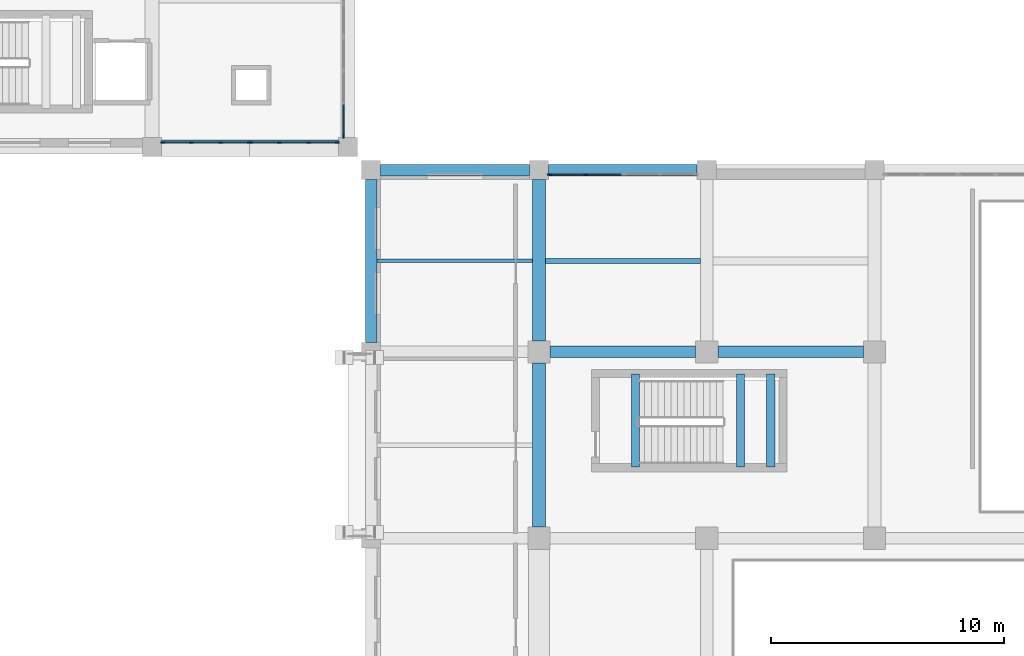
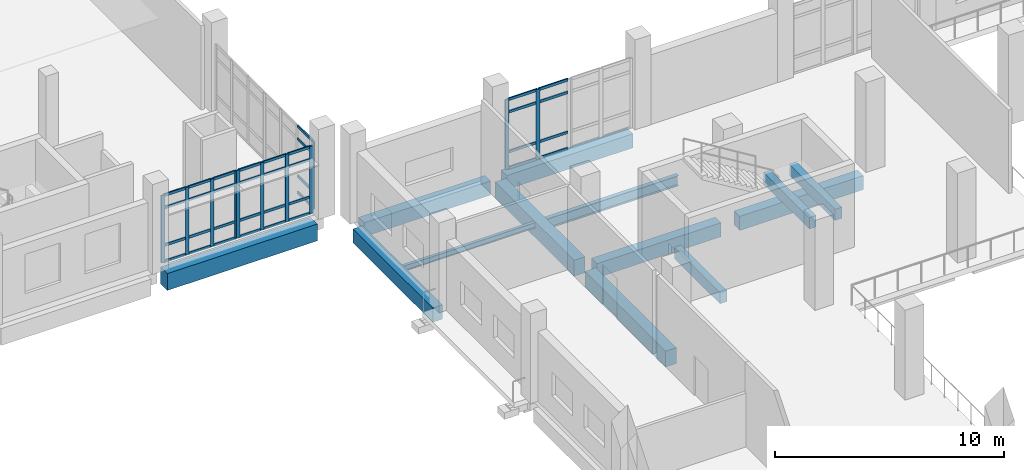
# One storey, part 25 of 90: 47 members, 13 beams, 4 elements without a shape of their own.
"""IFC4 building model written with IfcOpenShell, lengths in metres."""

import ifcopenshell
import ifcopenshell.guid

model = None  # the IFC model being written
_history = None  # IfcOwnerHistory: only IFC2X3 demands one
_inside = {}  # id of a spatial element -> (the spatial element, [elements in it])
_under = {}  # id of a project, library or spatial element -> (it, [spatial elements below it])
_declared = {}  # id of a project -> (the project, [libraries it declares])
_typed = {}  # id of a type object -> (the type object, [elements of that type])
_made_of = {}  # id of a material, layer set ... -> (it, [elements and type objects made of it])


def new_model(schema):
    """Start an empty IFC model of exactly this schema.

    Asked for "IFC4X3", IfcOpenShell would pick the latest addendum, in which some entities
    have other attributes; the version numbers below select the first issue.
    IFC2X3 requires an IfcOwnerHistory on every rooted entity: one is made here for all.
    """
    global model, _history
    if schema == "IFC4X3":
        model = ifcopenshell.file(schema_version=(4, 3, 0, 0))
    else:
        model = ifcopenshell.file(schema=schema)
    _inside.clear()
    _under.clear()
    _declared.clear()
    _typed.clear()
    _made_of.clear()
    _history = None
    if model.schema == "IFC2X3":
        org = make("IfcOrganization", Name="unknown")
        user = make(
            "IfcPersonAndOrganization",
            ThePerson=make("IfcPerson", FamilyName="unknown"),
            TheOrganization=org,
        )
        app = make(
            "IfcApplication",
            ApplicationDeveloper=org,
            Version="unknown",
            ApplicationFullName="unknown",
            ApplicationIdentifier="unknown",
        )
        _history = make(
            "IfcOwnerHistory",
            OwningUser=user,
            OwningApplication=app,
            ChangeAction="ADDED",
            CreationDate=0,
        )
    return model


def make(cls, **values):
    """One entity of the class cls with the attributes given. An attribute that is None is left unset."""
    return model.create_entity(
        cls, **{name: value for name, value in values.items() if value is not None}
    )


def rooted(cls, **values):
    """An entity with a GlobalId (a new one), such as an element, a storey or a relation."""
    return make(cls, GlobalId=ifcopenshell.guid.new(), OwnerHistory=_history, **values)


def si_unit(unit_type, name, prefix=None):
    """IfcSIUnit, for example si_unit("LENGTHUNIT", "METRE", prefix="MILLI")."""
    return make("IfcSIUnit", UnitType=unit_type, Prefix=prefix, Name=name)


def assignment(units):
    """IfcUnitAssignment: the units of a project."""
    return None if units is None else make("IfcUnitAssignment", Units=units)


def point(xyz):
    """IfcCartesianPoint."""
    return None if xyz is None else make("IfcCartesianPoint", Coordinates=xyz)


def direction(xyz):
    """IfcDirection."""
    return None if xyz is None else make("IfcDirection", DirectionRatios=xyz)


def frame(location, z_axis=None, x_axis=None):
    """IfcAxis2Placement3D, a coordinate frame: its origin and axes. An axis left out is left unset."""
    return make(
        "IfcAxis2Placement3D",
        Location=point(location),
        Axis=direction(z_axis),
        RefDirection=direction(x_axis),
    )


def frame_2d(location, x_axis=None):
    """IfcAxis2Placement2D, a coordinate frame in the plane: its origin and x axis."""
    return make(
        "IfcAxis2Placement2D", Location=point(location), RefDirection=direction(x_axis)
    )


def origin():
    """The frame at (0, 0, 0) with its axes left unset."""
    return frame((0.0, 0.0, 0.0))


def origin_2d():
    """The frame at (0, 0) in the plane with its x axis left unset."""
    return frame_2d((0.0, 0.0))


def place(relative_to, where):
    """IfcLocalPlacement: puts the frame where relative to a parent placement (None: the world)."""
    return make(
        "IfcLocalPlacement", PlacementRelTo=relative_to, RelativePlacement=where
    )


def context(
    kind, dimensions, precision=None, world=None, true_north=None, identifier=None
):
    """IfcGeometricRepresentationContext, for example the 3D "Model" context."""
    return make(
        "IfcGeometricRepresentationContext",
        ContextIdentifier=identifier,
        ContextType=kind,
        CoordinateSpaceDimension=dimensions,
        Precision=precision,
        WorldCoordinateSystem=world,
        TrueNorth=true_north,
    )


def subcontext(parent, identifier, kind, view, scale=None):
    """IfcGeometricRepresentationSubContext, for example "Body" below "Model"."""
    return make(
        "IfcGeometricRepresentationSubContext",
        ContextIdentifier=identifier,
        ContextType=kind,
        ParentContext=parent,
        TargetScale=scale,
        TargetView=view,
    )


def project(units=None, contexts=None):
    """IfcProject with its units and contexts."""
    return rooted(
        "IfcProject",
        Name="project",
        RepresentationContexts=contexts,
        UnitsInContext=assignment(units),
    )


def spatial(cls, under=None, at=None, **own):
    """A site, building, storey or space (cls), placed at a placement, below another one or the project."""
    s = rooted(cls, ObjectPlacement=at, **own)
    if under is not None:
        _under.setdefault(under.id(), (under, []))[1].append(s)
    return s


def profile(cls, at=None, kind="AREA", **sizes):
    """A parametric profile (cls). Its sizes go by their IFC names, for example OverallWidth=200.0."""
    return make(cls, ProfileType=kind, Position=at, **sizes)


def rectangle(**sizes):
    """IfcRectangleProfileDef."""
    return profile("IfcRectangleProfileDef", **sizes)


def i_section(**sizes):
    """IfcIShapeProfileDef."""
    return profile("IfcIShapeProfileDef", **sizes)


def extrude(swept, where, along, depth):
    """IfcExtrudedAreaSolid: the profile swept, set in the frame where, extruded along a direction by depth."""
    return make(
        "IfcExtrudedAreaSolid",
        SweptArea=swept,
        Position=where,
        ExtrudedDirection=direction(along),
        Depth=depth,
    )


def shape(context_of_items, identifier, shape_type, items):
    """IfcShapeRepresentation: the items that make up one representation, for example the "Body"."""
    return make(
        "IfcShapeRepresentation",
        ContextOfItems=context_of_items,
        RepresentationIdentifier=identifier,
        RepresentationType=shape_type,
        Items=items,
    )


def material(Name=None, Category=None):
    """IfcMaterial."""
    return make("IfcMaterial", Name=Name, Category=Category)


def layer(
    of_material, thickness, ventilated=None, Name=None, Category=None, Priority=None
):
    """IfcMaterialLayer: one layer of a wall or slab, of a material (None: an air gap)."""
    return make(
        "IfcMaterialLayer",
        Material=of_material,
        LayerThickness=thickness,
        IsVentilated=ventilated,
        Name=Name,
        Category=Category,
        Priority=Priority,
    )


def layer_set(layers, Name=None):
    """IfcMaterialLayerSet."""
    return make("IfcMaterialLayerSet", MaterialLayers=layers, LayerSetName=Name)


def material_profile(
    of_material, cross_section, Name=None, Category=None, Priority=None
):
    """IfcMaterialProfile: a cross section and its material."""
    return make(
        "IfcMaterialProfile",
        Name=Name,
        Material=of_material,
        Profile=cross_section,
        Priority=Priority,
        Category=Category,
    )


def profile_set(profiles, Name=None, composite=None):
    """IfcMaterialProfileSet."""
    return make(
        "IfcMaterialProfileSet",
        Name=Name,
        MaterialProfiles=profiles,
        CompositeProfile=composite,
    )


def made_of(thing, what):
    """Note that an element or type object is made of a material, layer set ...; save() writes the relation."""
    if what is not None:
        _made_of.setdefault(what.id(), (what, []))[1].append(thing)
    return thing


def type_object(cls, material=None, **own):
    """A type object (cls), such as IfcWallType, which elements share."""
    return made_of(rooted(cls, **own), material)


def element(
    cls,
    number,
    at=None,
    inside=None,
    cuts=None,
    type_object=None,
    material=None,
    context=None,
    identifier="Body",
    shape_type=None,
    held_by="IfcProductDefinitionShape",
    body=None,
    shapes=None,
    **own,
):
    """One element of the class cls, such as IfcWall. Its Tag is "e" and its number.

    at: its placement. inside: the storey or other place that contains it. cuts: it is an
    opening in that element (IfcRelVoidsElement). A single representation is given by context,
    identifier, shape_type and body (its items); several are given by shapes. held_by: the class
    of the entity that holds the representations. save() writes the other relations.
    """
    e = rooted(cls, Tag="e%d" % number, ObjectPlacement=at, **own)
    if body is not None:
        shapes = [shape(context, identifier, shape_type, body)]
    if shapes is not None:
        e.Representation = make(held_by, Representations=shapes)
    if inside is not None:
        _inside.setdefault(inside.id(), (inside, []))[1].append(e)
    if cuts is not None:
        rooted(
            "IfcRelVoidsElement", RelatingBuildingElement=cuts, RelatedOpeningElement=e
        )
    if type_object is not None:
        _typed.setdefault(type_object.id(), (type_object, []))[1].append(e)
    return made_of(e, material)


def aggregate(whole, parts):
    """IfcRelAggregates: a whole, such as a stair, and the parts it consists of."""
    return rooted("IfcRelAggregates", RelatingObject=whole, RelatedObjects=parts)


def save(model, path):
    """Write the relations noted so far, then the file.

    IfcRelAggregates (storeys below a building ...), IfcRelContainedInSpatialStructure (elements
    in a storey), IfcRelDefinesByType, IfcRelAssociatesMaterial and IfcRelDeclares: one each for
    every whole, place, type object, material and project.
    """
    for whole, parts in _under.values():
        aggregate(whole, parts)
    for where, things in _inside.values():
        rooted(
            "IfcRelContainedInSpatialStructure",
            RelatedElements=things,
            RelatingStructure=where,
        )
    for kind, things in _typed.values():
        rooted("IfcRelDefinesByType", RelatedObjects=things, RelatingType=kind)
    for what, things in _made_of.values():
        rooted("IfcRelAssociatesMaterial", RelatedObjects=things, RelatingMaterial=what)
    for by, libraries in _declared.values():
        rooted("IfcRelDeclares", RelatingContext=by, RelatedDefinitions=libraries)
    model.write(path)


model = new_model("IFC4")

# Units and contexts
model_context = context("Model", 3, precision=1e-05, world=origin(), true_north=direction((0.0, 1.0)))
body_context = subcontext(model_context, "Body", "Model", "MODEL_VIEW")
ifc_project = project(units=[si_unit("LENGTHUNIT", "METRE"), si_unit("AREAUNIT", "SQUARE_METRE"), si_unit("VOLUMEUNIT", "CUBIC_METRE"), si_unit("PLANEANGLEUNIT", "RADIAN"), si_unit("MASSUNIT", "GRAM", prefix="KILO")], contexts=[model_context])

# Site, building, storey
site_placement = place(None, origin())
site = spatial("IfcSite", under=ifc_project, at=site_placement, CompositionType="ELEMENT")
building_placement = place(site_placement, origin())
building = spatial("IfcBuilding", under=site, at=building_placement, Name="Kelarvand Opera House", CompositionType="ELEMENT")
storey_placement = place(building_placement, frame((0.0, 0.0, 5.39990234375)))
storey = spatial("IfcBuildingStorey", under=building, at=storey_placement, Name="L01", CompositionType="ELEMENT", Elevation=5.39990234375)

# Curtain wall, members
ifc_material_1 = material(Name="Thermally broken aluminium and low-E glazing", Category="aluminium")
ifc_layer_1 = layer(ifc_material_1, 0.179931640625, Name="Thermally broken aluminium and low-E glazing", Category="aluminium")
ifc_layer_set_1 = layer_set([ifc_layer_1], Name="Thermally broken aluminium and low-E glazing")
curtain_wall_type_1 = type_object("IfcCurtainWallType", Name="Unitised Low-E Curtain Wall 3176x3730 Mod 1350 CWF-10", PredefinedType="USERDEFINED", material=ifc_layer_set_1)
curtain_wall_1_placement = place(storey_placement, origin())
curtain_wall_1 = element("IfcCurtainWall", 1, at=curtain_wall_1_placement, inside=storey, type_object=curtain_wall_type_1, Name="V2 L01 Curtain Wall CWF-10 (31)", ObjectType="UNITISED CURTAIN WALL", PredefinedType="USERDEFINED")
ifc_material_2 = material(Name="Thermally broken anodised aluminium", Category="aluminium")
ifc_material_profile_1 = material_profile(ifc_material_2, rectangle(XDim=0.06494140625, YDim=0.179931640625, at=origin_2d()), Name="ALU MULLION 65x180", Category="aluminium")
ifc_profile_set_1 = profile_set([ifc_material_profile_1], Name="Thermally broken anodised aluminium")
member_type_1 = type_object("IfcMemberType", Name="Curtain Wall Mullion 65x180 Aluminium", PredefinedType="MULLION", material=ifc_profile_set_1)
member_1_placement = place(storey_placement, frame((59.652587890625, 86.02001953125, 0.0), z_axis=(0.0, 0.0, 1.0), x_axis=(0.0, 1.0, 0.0)))
member_1 = element("IfcMember", 2, at=member_1_placement, type_object=member_type_1, Name="CWF-10 mullion 1", PredefinedType="MULLION", context=body_context, shape_type="SweptSolid", body=[
    extrude(rectangle(XDim=0.06494140625, YDim=0.179931640625, at=origin_2d()), origin(), (0.0, 0.0, 1.0), 3.72998046875),
])
member_2_placement = place(storey_placement, frame((61.2080078125, 86.02001953125, 0.0), z_axis=(0.0, 0.0, 1.0), x_axis=(0.0, 1.0, 0.0)))
member_2 = element("IfcMember", 3, at=member_2_placement, type_object=member_type_1, Name="CWF-10 mullion 2", PredefinedType="MULLION", context=body_context, shape_type="SweptSolid", body=[
    extrude(rectangle(XDim=0.06494140625, YDim=0.179931640625, at=origin_2d()), origin(), (0.0, 0.0, 1.0), 3.72998046875),
])

# Curtain wall, member
ifc_layer_2 = layer(ifc_material_1, 0.179931640625, Name="Thermally broken aluminium and low-E glazing", Category="aluminium")
ifc_layer_set_2 = layer_set([ifc_layer_2], Name="Thermally broken aluminium and low-E glazing")
curtain_wall_type_2 = type_object("IfcCurtainWallType", Name="Unitised Low-E Curtain Wall 4276x3600 Mod 1350 CWF-16", PredefinedType="USERDEFINED", material=ifc_layer_set_2)
curtain_wall_2_placement = place(storey_placement, origin())
curtain_wall_2 = element("IfcCurtainWall", 4, at=curtain_wall_2_placement, inside=storey, type_object=curtain_wall_type_2, Name="V3 L01 Curtain Wall CWF-16 (50)", ObjectType="UNITISED CURTAIN WALL", PredefinedType="USERDEFINED")
member_3_placement = place(storey_placement, frame((50.820068359375, 87.652587890625, 0.0), z_axis=(0.0, 0.0, 1.0), x_axis=(1.0, 0.0, 0.0)))
member_3 = element("IfcMember", 5, at=member_3_placement, type_object=member_type_1, Name="CWF-16 mullion 4", PredefinedType="MULLION", context=body_context, shape_type="SweptSolid", body=[
    extrude(rectangle(XDim=0.06494140625, YDim=0.179931640625, at=origin_2d()), origin(), (0.0, 0.0, 1.0), 3.60009765625),
])

# Curtain wall, members
ifc_layer_3 = layer(ifc_material_1, 0.179931640625, Name="Thermally broken aluminium and low-E glazing", Category="aluminium")
ifc_layer_set_3 = layer_set([ifc_layer_3], Name="Thermally broken aluminium and low-E glazing")
curtain_wall_type_3 = type_object("IfcCurtainWallType", Name="Unitised Low-E Curtain Wall 3818x3600 Mod 1350 CWF-18", PredefinedType="USERDEFINED", material=ifc_layer_set_3)
curtain_wall_3_placement = place(storey_placement, origin())
curtain_wall_3 = element("IfcCurtainWall", 6, at=curtain_wall_3_placement, inside=storey, type_object=curtain_wall_type_3, Name="V3 L01 Curtain Wall CWF-18 (61)", ObjectType="UNITISED CURTAIN WALL", PredefinedType="USERDEFINED")
member_4_placement = place(storey_placement, frame((50.547607421875, 87.3798828125, 0.0), z_axis=(0.0, 0.0, 1.0), x_axis=(0.0, -1.0, 0.0)))
member_4 = element("IfcMember", 7, at=member_4_placement, type_object=member_type_1, Name="CWF-18 mullion 1", PredefinedType="MULLION", context=body_context, shape_type="SweptSolid", body=[
    extrude(rectangle(XDim=0.06494140625, YDim=0.179931640625, at=origin_2d()), origin(), (0.0, 0.0, 1.0), 3.60009765625),
])
member_5_placement = place(storey_placement, frame((49.3212890625, 87.3798828125, 0.0), z_axis=(0.0, 0.0, 1.0), x_axis=(0.0, -1.0, 0.0)))
member_5 = element("IfcMember", 8, at=member_5_placement, type_object=member_type_1, Name="CWF-18 mullion 2", PredefinedType="MULLION", context=body_context, shape_type="SweptSolid", body=[
    extrude(rectangle(XDim=0.06494140625, YDim=0.179931640625, at=origin_2d()), origin(), (0.0, 0.0, 1.0), 3.60009765625),
])
member_6_placement = place(storey_placement, frame((48.062744140625, 87.3798828125, 0.0), z_axis=(0.0, 0.0, 1.0), x_axis=(0.0, -1.0, 0.0)))
member_6 = element("IfcMember", 9, at=member_6_placement, type_object=member_type_1, Name="CWF-18 mullion 3", PredefinedType="MULLION", context=body_context, shape_type="SweptSolid", body=[
    extrude(rectangle(XDim=0.06494140625, YDim=0.179931640625, at=origin_2d()), origin(), (0.0, 0.0, 1.0), 3.60009765625),
])
member_7_placement = place(storey_placement, frame((46.83642578125, 87.3798828125, 0.0), z_axis=(0.0, 0.0, 1.0), x_axis=(0.0, -1.0, 0.0)))
member_7 = element("IfcMember", 10, at=member_7_placement, type_object=member_type_1, Name="CWF-18 mullion 4", PredefinedType="MULLION", context=body_context, shape_type="SweptSolid", body=[
    extrude(rectangle(XDim=0.06494140625, YDim=0.179931640625, at=origin_2d()), origin(), (0.0, 0.0, 1.0), 3.60009765625),
])

curtain_wall_4_placement = place(storey_placement, origin())
curtain_wall_4 = element("IfcCurtainWall", 11, at=curtain_wall_4_placement, inside=storey, type_object=curtain_wall_type_3, Name="V3 L01 Curtain Wall CWF-18 (62)", ObjectType="UNITISED CURTAIN WALL", PredefinedType="USERDEFINED")
member_8_placement = place(storey_placement, frame((46.767578125, 87.3798828125, 0.0), z_axis=(0.0, 0.0, 1.0), x_axis=(0.0, -1.0, 0.0)))
member_8 = element("IfcMember", 12, at=member_8_placement, type_object=member_type_1, Name="CWF-18 mullion 1", PredefinedType="MULLION", context=body_context, shape_type="SweptSolid", body=[
    extrude(rectangle(XDim=0.06494140625, YDim=0.179931640625, at=origin_2d()), origin(), (0.0, 0.0, 1.0), 3.60009765625),
])
member_9_placement = place(storey_placement, frame((45.5400390625, 87.3798828125, 0.0), z_axis=(0.0, 0.0, 1.0), x_axis=(0.0, -1.0, 0.0)))
member_9 = element("IfcMember", 13, at=member_9_placement, type_object=member_type_1, Name="CWF-18 mullion 2", PredefinedType="MULLION", context=body_context, shape_type="SweptSolid", body=[
    extrude(rectangle(XDim=0.06494140625, YDim=0.179931640625, at=origin_2d()), origin(), (0.0, 0.0, 1.0), 3.60009765625),
])
member_10_placement = place(storey_placement, frame((44.280029296875, 87.3798828125, 0.0), z_axis=(0.0, 0.0, 1.0), x_axis=(0.0, -1.0, 0.0)))
member_10 = element("IfcMember", 14, at=member_10_placement, type_object=member_type_1, Name="CWF-18 mullion 3", PredefinedType="MULLION", context=body_context, shape_type="SweptSolid", body=[
    extrude(rectangle(XDim=0.06494140625, YDim=0.179931640625, at=origin_2d()), origin(), (0.0, 0.0, 1.0), 3.60009765625),
])
member_11_placement = place(storey_placement, frame((43.052490234375, 87.3798828125, 0.0), z_axis=(0.0, 0.0, 1.0), x_axis=(0.0, -1.0, 0.0)))
member_11 = element("IfcMember", 15, at=member_11_placement, type_object=member_type_1, Name="CWF-18 mullion 4", PredefinedType="MULLION", context=body_context, shape_type="SweptSolid", body=[
    extrude(rectangle(XDim=0.06494140625, YDim=0.179931640625, at=origin_2d()), origin(), (0.0, 0.0, 1.0), 3.60009765625),
])

# Member
ifc_material_profile_2 = material_profile(ifc_material_2, rectangle(XDim=0.06494140625, YDim=0.139892578125, at=origin_2d()), Name="ALU TRANSOM 65x140", Category="aluminium")
ifc_profile_set_2 = profile_set([ifc_material_profile_2], Name="Thermally broken anodised aluminium")
member_type_2 = type_object("IfcMemberType", Name="Curtain Wall Transom 65x140 Aluminium", PredefinedType="USERDEFINED", material=ifc_profile_set_2)
member_12_placement = place(storey_placement, frame((59.68505859375, 86.02001953125, 0.03271484375), z_axis=(1.0, 0.0, 0.0), x_axis=(0.0, 1.0, 0.0)))
member_12 = element("IfcMember", 16, at=member_12_placement, type_object=member_type_2, Name="CWF-10 transom 1.1", ObjectType="TRANSOM", PredefinedType="USERDEFINED", context=body_context, shape_type="SweptSolid", body=[
    extrude(rectangle(XDim=0.06494140625, YDim=0.139892578125, at=origin_2d()), origin(), (0.0, 0.0, 1.0), 1.490478515625),
])

member_13_placement = place(storey_placement, frame((59.68505859375, 86.02001953125, 0.900146484375), z_axis=(1.0, 0.0, 0.0), x_axis=(0.0, 1.0, 0.0)))
member_13 = element("IfcMember", 17, at=member_13_placement, type_object=member_type_2, Name="CWF-10 transom 1.2", ObjectType="TRANSOM", PredefinedType="USERDEFINED", context=body_context, shape_type="SweptSolid", body=[
    extrude(rectangle(XDim=0.06494140625, YDim=0.139892578125, at=origin_2d()), origin(), (0.0, 0.0, 1.0), 1.490478515625),
])

member_14_placement = place(storey_placement, frame((59.68505859375, 86.02001953125, 3.030029296875), z_axis=(1.0, 0.0, 0.0), x_axis=(0.0, 1.0, 0.0)))
member_14 = element("IfcMember", 18, at=member_14_placement, type_object=member_type_2, Name="CWF-10 transom 1.3", ObjectType="TRANSOM", PredefinedType="USERDEFINED", context=body_context, shape_type="SweptSolid", body=[
    extrude(rectangle(XDim=0.06494140625, YDim=0.139892578125, at=origin_2d()), origin(), (0.0, 0.0, 1.0), 1.490478515625),
])

member_15_placement = place(storey_placement, frame((59.68505859375, 86.02001953125, 3.697509765625), z_axis=(1.0, 0.0, 0.0), x_axis=(0.0, 1.0, 0.0)))
member_15 = element("IfcMember", 19, at=member_15_placement, type_object=member_type_2, Name="CWF-10 transom 1.4", ObjectType="TRANSOM", PredefinedType="USERDEFINED", context=body_context, shape_type="SweptSolid", body=[
    extrude(rectangle(XDim=0.06494140625, YDim=0.139892578125, at=origin_2d()), origin(), (0.0, 0.0, 1.0), 1.490478515625),
])

member_16_placement = place(storey_placement, frame((61.240478515625, 86.02001953125, 0.03271484375), z_axis=(1.0, 0.0, 0.0), x_axis=(0.0, 1.0, 0.0)))
member_16 = element("IfcMember", 20, at=member_16_placement, type_object=member_type_2, Name="CWF-10 transom 2.1", ObjectType="TRANSOM", PredefinedType="USERDEFINED", context=body_context, shape_type="SweptSolid", body=[
    extrude(rectangle(XDim=0.06494140625, YDim=0.139892578125, at=origin_2d()), origin(), (0.0, 0.0, 1.0), 1.490478515625),
])

member_17_placement = place(storey_placement, frame((61.240478515625, 86.02001953125, 0.900146484375), z_axis=(1.0, 0.0, 0.0), x_axis=(0.0, 1.0, 0.0)))
member_17 = element("IfcMember", 21, at=member_17_placement, type_object=member_type_2, Name="CWF-10 transom 2.2", ObjectType="TRANSOM", PredefinedType="USERDEFINED", context=body_context, shape_type="SweptSolid", body=[
    extrude(rectangle(XDim=0.06494140625, YDim=0.139892578125, at=origin_2d()), origin(), (0.0, 0.0, 1.0), 1.490478515625),
])

member_18_placement = place(storey_placement, frame((61.240478515625, 86.02001953125, 3.030029296875), z_axis=(1.0, 0.0, 0.0), x_axis=(0.0, 1.0, 0.0)))
member_18 = element("IfcMember", 22, at=member_18_placement, type_object=member_type_2, Name="CWF-10 transom 2.3", ObjectType="TRANSOM", PredefinedType="USERDEFINED", context=body_context, shape_type="SweptSolid", body=[
    extrude(rectangle(XDim=0.06494140625, YDim=0.139892578125, at=origin_2d()), origin(), (0.0, 0.0, 1.0), 1.490478515625),
])

member_19_placement = place(storey_placement, frame((61.240478515625, 86.02001953125, 3.697509765625), z_axis=(1.0, 0.0, 0.0), x_axis=(0.0, 1.0, 0.0)))
member_19 = element("IfcMember", 23, at=member_19_placement, type_object=member_type_2, Name="CWF-10 transom 2.4", ObjectType="TRANSOM", PredefinedType="USERDEFINED", context=body_context, shape_type="SweptSolid", body=[
    extrude(rectangle(XDim=0.06494140625, YDim=0.139892578125, at=origin_2d()), origin(), (0.0, 0.0, 1.0), 1.490478515625),
])

aggregate(curtain_wall_1, [member_1, member_2, member_12, member_13, member_14, member_15, member_16, member_17, member_18, member_19])

member_20_placement = place(storey_placement, frame((50.820068359375, 89.01416015625, 0.03271484375), z_axis=(0.0, -1.0, 0.0), x_axis=(1.0, 0.0, 0.0)))
member_20 = element("IfcMember", 24, at=member_20_placement, type_object=member_type_2, Name="CWF-16 transom 3.1", ObjectType="TRANSOM", PredefinedType="USERDEFINED", context=body_context, shape_type="SweptSolid", body=[
    extrude(rectangle(XDim=0.06494140625, YDim=0.139892578125, at=origin_2d()), origin(), (0.0, 0.0, 1.0), 1.3291015625),
])

member_21_placement = place(storey_placement, frame((50.820068359375, 89.01416015625, 0.900146484375), z_axis=(0.0, -1.0, 0.0), x_axis=(1.0, 0.0, 0.0)))
member_21 = element("IfcMember", 25, at=member_21_placement, type_object=member_type_2, Name="CWF-16 transom 3.2", ObjectType="TRANSOM", PredefinedType="USERDEFINED", context=body_context, shape_type="SweptSolid", body=[
    extrude(rectangle(XDim=0.06494140625, YDim=0.139892578125, at=origin_2d()), origin(), (0.0, 0.0, 1.0), 1.3291015625),
])

member_22_placement = place(storey_placement, frame((50.820068359375, 89.01416015625, 2.900146484375), z_axis=(0.0, -1.0, 0.0), x_axis=(1.0, 0.0, 0.0)))
member_22 = element("IfcMember", 26, at=member_22_placement, type_object=member_type_2, Name="CWF-16 transom 3.3", ObjectType="TRANSOM", PredefinedType="USERDEFINED", context=body_context, shape_type="SweptSolid", body=[
    extrude(rectangle(XDim=0.06494140625, YDim=0.139892578125, at=origin_2d()), origin(), (0.0, 0.0, 1.0), 1.3291015625),
])

member_23_placement = place(storey_placement, frame((50.820068359375, 89.01416015625, 3.567626953125), z_axis=(0.0, -1.0, 0.0), x_axis=(1.0, 0.0, 0.0)))
member_23 = element("IfcMember", 27, at=member_23_placement, type_object=member_type_2, Name="CWF-16 transom 3.4", ObjectType="TRANSOM", PredefinedType="USERDEFINED", context=body_context, shape_type="SweptSolid", body=[
    extrude(rectangle(XDim=0.06494140625, YDim=0.139892578125, at=origin_2d()), origin(), (0.0, 0.0, 1.0), 1.3291015625),
])

aggregate(curtain_wall_2, [member_3, member_20, member_21, member_22, member_23])

member_24_placement = place(storey_placement, frame((50.514892578125, 87.3798828125, 0.03271484375), z_axis=(-1.0, 0.0, 0.0), x_axis=(0.0, -1.0, 0.0)))
member_24 = element("IfcMember", 28, at=member_24_placement, type_object=member_type_2, Name="CWF-18 transom 1.1", ObjectType="TRANSOM", PredefinedType="USERDEFINED", context=body_context, shape_type="SweptSolid", body=[
    extrude(rectangle(XDim=0.06494140625, YDim=0.139892578125, at=origin_2d()), origin(), (0.0, 0.0, 1.0), 1.1611328125),
])

member_25_placement = place(storey_placement, frame((50.514892578125, 87.3798828125, 0.900146484375), z_axis=(-1.0, 0.0, 0.0), x_axis=(0.0, -1.0, 0.0)))
member_25 = element("IfcMember", 29, at=member_25_placement, type_object=member_type_2, Name="CWF-18 transom 1.2", ObjectType="TRANSOM", PredefinedType="USERDEFINED", context=body_context, shape_type="SweptSolid", body=[
    extrude(rectangle(XDim=0.06494140625, YDim=0.139892578125, at=origin_2d()), origin(), (0.0, 0.0, 1.0), 1.1611328125),
])

member_26_placement = place(storey_placement, frame((50.514892578125, 87.3798828125, 2.900146484375), z_axis=(-1.0, 0.0, 0.0), x_axis=(0.0, -1.0, 0.0)))
member_26 = element("IfcMember", 30, at=member_26_placement, type_object=member_type_2, Name="CWF-18 transom 1.3", ObjectType="TRANSOM", PredefinedType="USERDEFINED", context=body_context, shape_type="SweptSolid", body=[
    extrude(rectangle(XDim=0.06494140625, YDim=0.139892578125, at=origin_2d()), origin(), (0.0, 0.0, 1.0), 1.1611328125),
])

member_27_placement = place(storey_placement, frame((50.514892578125, 87.3798828125, 3.567626953125), z_axis=(-1.0, 0.0, 0.0), x_axis=(0.0, -1.0, 0.0)))
member_27 = element("IfcMember", 31, at=member_27_placement, type_object=member_type_2, Name="CWF-18 transom 1.4", ObjectType="TRANSOM", PredefinedType="USERDEFINED", context=body_context, shape_type="SweptSolid", body=[
    extrude(rectangle(XDim=0.06494140625, YDim=0.139892578125, at=origin_2d()), origin(), (0.0, 0.0, 1.0), 1.1611328125),
])

member_28_placement = place(storey_placement, frame((49.288818359375, 87.3798828125, 0.03271484375), z_axis=(-1.0, 0.0, 0.0), x_axis=(0.0, -1.0, 0.0)))
member_28 = element("IfcMember", 32, at=member_28_placement, type_object=member_type_2, Name="CWF-18 transom 2.1", ObjectType="TRANSOM", PredefinedType="USERDEFINED", context=body_context, shape_type="SweptSolid", body=[
    extrude(rectangle(XDim=0.06494140625, YDim=0.139892578125, at=origin_2d()), origin(), (0.0, 0.0, 1.0), 1.193603515625),
])

member_29_placement = place(storey_placement, frame((49.288818359375, 87.3798828125, 0.900146484375), z_axis=(-1.0, 0.0, 0.0), x_axis=(0.0, -1.0, 0.0)))
member_29 = element("IfcMember", 33, at=member_29_placement, type_object=member_type_2, Name="CWF-18 transom 2.2", ObjectType="TRANSOM", PredefinedType="USERDEFINED", context=body_context, shape_type="SweptSolid", body=[
    extrude(rectangle(XDim=0.06494140625, YDim=0.139892578125, at=origin_2d()), origin(), (0.0, 0.0, 1.0), 1.193603515625),
])

member_30_placement = place(storey_placement, frame((49.288818359375, 87.3798828125, 2.900146484375), z_axis=(-1.0, 0.0, 0.0), x_axis=(0.0, -1.0, 0.0)))
member_30 = element("IfcMember", 34, at=member_30_placement, type_object=member_type_2, Name="CWF-18 transom 2.3", ObjectType="TRANSOM", PredefinedType="USERDEFINED", context=body_context, shape_type="SweptSolid", body=[
    extrude(rectangle(XDim=0.06494140625, YDim=0.139892578125, at=origin_2d()), origin(), (0.0, 0.0, 1.0), 1.193603515625),
])

member_31_placement = place(storey_placement, frame((49.288818359375, 87.3798828125, 3.567626953125), z_axis=(-1.0, 0.0, 0.0), x_axis=(0.0, -1.0, 0.0)))
member_31 = element("IfcMember", 35, at=member_31_placement, type_object=member_type_2, Name="CWF-18 transom 2.4", ObjectType="TRANSOM", PredefinedType="USERDEFINED", context=body_context, shape_type="SweptSolid", body=[
    extrude(rectangle(XDim=0.06494140625, YDim=0.139892578125, at=origin_2d()), origin(), (0.0, 0.0, 1.0), 1.193603515625),
])

member_32_placement = place(storey_placement, frame((48.0302734375, 87.3798828125, 0.03271484375), z_axis=(-1.0, 0.0, 0.0), x_axis=(0.0, -1.0, 0.0)))
member_32 = element("IfcMember", 36, at=member_32_placement, type_object=member_type_2, Name="CWF-18 transom 3.1", ObjectType="TRANSOM", PredefinedType="USERDEFINED", context=body_context, shape_type="SweptSolid", body=[
    extrude(rectangle(XDim=0.06494140625, YDim=0.139892578125, at=origin_2d()), origin(), (0.0, 0.0, 1.0), 1.161376953125),
])

member_33_placement = place(storey_placement, frame((48.0302734375, 87.3798828125, 0.900146484375), z_axis=(-1.0, 0.0, 0.0), x_axis=(0.0, -1.0, 0.0)))
member_33 = element("IfcMember", 37, at=member_33_placement, type_object=member_type_2, Name="CWF-18 transom 3.2", ObjectType="TRANSOM", PredefinedType="USERDEFINED", context=body_context, shape_type="SweptSolid", body=[
    extrude(rectangle(XDim=0.06494140625, YDim=0.139892578125, at=origin_2d()), origin(), (0.0, 0.0, 1.0), 1.161376953125),
])

member_34_placement = place(storey_placement, frame((48.0302734375, 87.3798828125, 2.900146484375), z_axis=(-1.0, 0.0, 0.0), x_axis=(0.0, -1.0, 0.0)))
member_34 = element("IfcMember", 38, at=member_34_placement, type_object=member_type_2, Name="CWF-18 transom 3.3", ObjectType="TRANSOM", PredefinedType="USERDEFINED", context=body_context, shape_type="SweptSolid", body=[
    extrude(rectangle(XDim=0.06494140625, YDim=0.139892578125, at=origin_2d()), origin(), (0.0, 0.0, 1.0), 1.161376953125),
])

member_35_placement = place(storey_placement, frame((48.0302734375, 87.3798828125, 3.567626953125), z_axis=(-1.0, 0.0, 0.0), x_axis=(0.0, -1.0, 0.0)))
member_35 = element("IfcMember", 39, at=member_35_placement, type_object=member_type_2, Name="CWF-18 transom 3.4", ObjectType="TRANSOM", PredefinedType="USERDEFINED", context=body_context, shape_type="SweptSolid", body=[
    extrude(rectangle(XDim=0.06494140625, YDim=0.139892578125, at=origin_2d()), origin(), (0.0, 0.0, 1.0), 1.161376953125),
])

aggregate(curtain_wall_3, [member_4, member_5, member_6, member_7, member_24, member_25, member_26, member_27, member_28, member_29, member_30, member_31, member_32, member_33, member_34, member_35])

member_36_placement = place(storey_placement, frame((46.735107421875, 87.3798828125, 0.03271484375), z_axis=(-1.0, 0.0, 0.0), x_axis=(0.0, -1.0, 0.0)))
member_36 = element("IfcMember", 40, at=member_36_placement, type_object=member_type_2, Name="CWF-18 transom 1.1", ObjectType="TRANSOM", PredefinedType="USERDEFINED", context=body_context, shape_type="SweptSolid", body=[
    extrude(rectangle(XDim=0.06494140625, YDim=0.139892578125, at=origin_2d()), origin(), (0.0, 0.0, 1.0), 1.16259765625),
])

member_37_placement = place(storey_placement, frame((46.735107421875, 87.3798828125, 0.900146484375), z_axis=(-1.0, 0.0, 0.0), x_axis=(0.0, -1.0, 0.0)))
member_37 = element("IfcMember", 41, at=member_37_placement, type_object=member_type_2, Name="CWF-18 transom 1.2", ObjectType="TRANSOM", PredefinedType="USERDEFINED", context=body_context, shape_type="SweptSolid", body=[
    extrude(rectangle(XDim=0.06494140625, YDim=0.139892578125, at=origin_2d()), origin(), (0.0, 0.0, 1.0), 1.16259765625),
])

member_38_placement = place(storey_placement, frame((46.735107421875, 87.3798828125, 2.900146484375), z_axis=(-1.0, 0.0, 0.0), x_axis=(0.0, -1.0, 0.0)))
member_38 = element("IfcMember", 42, at=member_38_placement, type_object=member_type_2, Name="CWF-18 transom 1.3", ObjectType="TRANSOM", PredefinedType="USERDEFINED", context=body_context, shape_type="SweptSolid", body=[
    extrude(rectangle(XDim=0.06494140625, YDim=0.139892578125, at=origin_2d()), origin(), (0.0, 0.0, 1.0), 1.16259765625),
])

member_39_placement = place(storey_placement, frame((46.735107421875, 87.3798828125, 3.567626953125), z_axis=(-1.0, 0.0, 0.0), x_axis=(0.0, -1.0, 0.0)))
member_39 = element("IfcMember", 43, at=member_39_placement, type_object=member_type_2, Name="CWF-18 transom 1.4", ObjectType="TRANSOM", PredefinedType="USERDEFINED", context=body_context, shape_type="SweptSolid", body=[
    extrude(rectangle(XDim=0.06494140625, YDim=0.139892578125, at=origin_2d()), origin(), (0.0, 0.0, 1.0), 1.16259765625),
])

member_40_placement = place(storey_placement, frame((45.507568359375, 87.3798828125, 0.03271484375), z_axis=(-1.0, 0.0, 0.0), x_axis=(0.0, -1.0, 0.0)))
member_40 = element("IfcMember", 44, at=member_40_placement, type_object=member_type_2, Name="CWF-18 transom 2.1", ObjectType="TRANSOM", PredefinedType="USERDEFINED", context=body_context, shape_type="SweptSolid", body=[
    extrude(rectangle(XDim=0.06494140625, YDim=0.139892578125, at=origin_2d()), origin(), (0.0, 0.0, 1.0), 1.195068359375),
])

member_41_placement = place(storey_placement, frame((45.507568359375, 87.3798828125, 0.900146484375), z_axis=(-1.0, 0.0, 0.0), x_axis=(0.0, -1.0, 0.0)))
member_41 = element("IfcMember", 45, at=member_41_placement, type_object=member_type_2, Name="CWF-18 transom 2.2", ObjectType="TRANSOM", PredefinedType="USERDEFINED", context=body_context, shape_type="SweptSolid", body=[
    extrude(rectangle(XDim=0.06494140625, YDim=0.139892578125, at=origin_2d()), origin(), (0.0, 0.0, 1.0), 1.195068359375),
])

member_42_placement = place(storey_placement, frame((45.507568359375, 87.3798828125, 2.900146484375), z_axis=(-1.0, 0.0, 0.0), x_axis=(0.0, -1.0, 0.0)))
member_42 = element("IfcMember", 46, at=member_42_placement, type_object=member_type_2, Name="CWF-18 transom 2.3", ObjectType="TRANSOM", PredefinedType="USERDEFINED", context=body_context, shape_type="SweptSolid", body=[
    extrude(rectangle(XDim=0.06494140625, YDim=0.139892578125, at=origin_2d()), origin(), (0.0, 0.0, 1.0), 1.195068359375),
])

member_43_placement = place(storey_placement, frame((45.507568359375, 87.3798828125, 3.567626953125), z_axis=(-1.0, 0.0, 0.0), x_axis=(0.0, -1.0, 0.0)))
member_43 = element("IfcMember", 47, at=member_43_placement, type_object=member_type_2, Name="CWF-18 transom 2.4", ObjectType="TRANSOM", PredefinedType="USERDEFINED", context=body_context, shape_type="SweptSolid", body=[
    extrude(rectangle(XDim=0.06494140625, YDim=0.139892578125, at=origin_2d()), origin(), (0.0, 0.0, 1.0), 1.195068359375),
])

member_44_placement = place(storey_placement, frame((44.24755859375, 87.3798828125, 0.03271484375), z_axis=(-1.0, 0.0, 0.0), x_axis=(0.0, -1.0, 0.0)))
member_44 = element("IfcMember", 48, at=member_44_placement, type_object=member_type_2, Name="CWF-18 transom 3.1", ObjectType="TRANSOM", PredefinedType="USERDEFINED", context=body_context, shape_type="SweptSolid", body=[
    extrude(rectangle(XDim=0.06494140625, YDim=0.139892578125, at=origin_2d()), origin(), (0.0, 0.0, 1.0), 1.16259765625),
])

member_45_placement = place(storey_placement, frame((44.24755859375, 87.3798828125, 0.900146484375), z_axis=(-1.0, 0.0, 0.0), x_axis=(0.0, -1.0, 0.0)))
member_45 = element("IfcMember", 49, at=member_45_placement, type_object=member_type_2, Name="CWF-18 transom 3.2", ObjectType="TRANSOM", PredefinedType="USERDEFINED", context=body_context, shape_type="SweptSolid", body=[
    extrude(rectangle(XDim=0.06494140625, YDim=0.139892578125, at=origin_2d()), origin(), (0.0, 0.0, 1.0), 1.16259765625),
])

member_46_placement = place(storey_placement, frame((44.24755859375, 87.3798828125, 2.900146484375), z_axis=(-1.0, 0.0, 0.0), x_axis=(0.0, -1.0, 0.0)))
member_46 = element("IfcMember", 50, at=member_46_placement, type_object=member_type_2, Name="CWF-18 transom 3.3", ObjectType="TRANSOM", PredefinedType="USERDEFINED", context=body_context, shape_type="SweptSolid", body=[
    extrude(rectangle(XDim=0.06494140625, YDim=0.139892578125, at=origin_2d()), origin(), (0.0, 0.0, 1.0), 1.16259765625),
])

member_47_placement = place(storey_placement, frame((44.24755859375, 87.3798828125, 3.567626953125), z_axis=(-1.0, 0.0, 0.0), x_axis=(0.0, -1.0, 0.0)))
member_47 = element("IfcMember", 51, at=member_47_placement, type_object=member_type_2, Name="CWF-18 transom 3.4", ObjectType="TRANSOM", PredefinedType="USERDEFINED", context=body_context, shape_type="SweptSolid", body=[
    extrude(rectangle(XDim=0.06494140625, YDim=0.139892578125, at=origin_2d()), origin(), (0.0, 0.0, 1.0), 1.16259765625),
])

aggregate(curtain_wall_4, [member_8, member_9, member_10, member_11, member_36, member_37, member_38, member_39, member_40, member_41, member_42, member_43, member_44, member_45, member_46, member_47])

# Beams
ifc_material_3 = material(Name="Concrete C35/45", Category="concrete")
ifc_material_profile_3 = material_profile(ifc_material_3, rectangle(XDim=0.35009765625, YDim=0.60009765625, at=origin_2d()), Name="RC 350x600", Category="concrete")
ifc_profile_set_3 = profile_set([ifc_material_profile_3], Name="Concrete C35/45")
beam_type_1 = type_object("IfcBeamType", Name="Structural Beam RC 350x600 BM-RC350x600", PredefinedType="BEAM", material=ifc_profile_set_3)
for number, where, z_axis, x_axis, name in (
    (52, (63.340087890625, 73.449951171875, -0.52001953125), (0.0, 1.0, 0.0), (-1.0, 0.0, 0.0), "C3 Stair Landing Support Beam L01"),
    (53, (67.85009765625, 73.449951171875, 1.900146484375), (0.0, 1.0, 0.0), (-1.0, 0.0, 0.0), "C3 Stair Half-Landing Beam 1 L01"),
    (54, (69.14990234375, 73.449951171875, 1.900146484375), (0.0, 1.0, 0.0), (-1.0, 0.0, 0.0), "C3 Stair Half-Landing Beam 2 L01"),
):
    element("IfcBeam", number, at=place(storey_placement, frame(where, z_axis=z_axis, x_axis=x_axis)), inside=storey, type_object=beam_type_1, Name=name, PredefinedType="BEAM", context=body_context, shape_type="SweptSolid", body=[
        extrude(rectangle(XDim=0.35009765625, YDim=0.60009765625, at=origin_2d()), origin(), (0.0, 0.0, 1.0), 4.0),
    ])
ifc_material_4 = material(Name="Concrete C40/50", Category="concrete")
ifc_material_profile_4 = material_profile(ifc_material_4, rectangle(XDim=0.5, YDim=0.75, at=origin_2d()), Name="RC 500x750", Category="concrete")
ifc_profile_set_4 = profile_set([ifc_material_profile_4], Name="Concrete C40/50")
beam_type_2 = type_object("IfcBeamType", Name="Structural Beam RC 500x750 BM-RC500x750", PredefinedType="BEAM", material=ifc_profile_set_4)
for number, where, z_axis, x_axis, name in (
    (55, (59.675048828125, 78.39990234375, -0.6748046875), (1.0, 0.0, 0.0), (0.0, 1.0, 0.0), "V2 L01 Beam BM-RC500x750"),
    (56, (66.875, 78.39990234375, -0.6748046875), (1.0, 0.0, 0.0), (0.0, 1.0, 0.0), "V2 L01 Beam BM-RC500x750"),
):
    element("IfcBeam", number, at=place(storey_placement, frame(where, z_axis=z_axis, x_axis=x_axis)), inside=storey, type_object=beam_type_2, Name=name, PredefinedType="BEAM", context=body_context, shape_type="SweptSolid", body=[
        extrude(rectangle(XDim=0.5, YDim=0.75, at=origin_2d()), origin(), (0.0, 0.0, 1.0), 6.25),
    ])
ifc_material_profile_5 = material_profile(ifc_material_4, rectangle(XDim=0.550048828125, YDim=0.85009765625, at=origin_2d()), Name="RC 550x850", Category="concrete")
ifc_profile_set_5 = profile_set([ifc_material_profile_5], Name="Concrete C40/50")
beam_type_3 = type_object("IfcBeamType", Name="Structural Beam RC 550x850 BM-RC550x850", PredefinedType="BEAM", material=ifc_profile_set_5)
beam_1_placement = place(storey_placement, frame((59.199951171875, 70.875, -0.724853515625), z_axis=(0.0, 1.0, 0.0), x_axis=(-1.0, 0.0, 0.0)))
element("IfcBeam", 57, at=beam_1_placement, inside=storey, type_object=beam_type_3, Name="V2 L01 Beam BM-RC550x850", PredefinedType="BEAM", context=body_context, shape_type="SweptSolid", body=[
    extrude(rectangle(XDim=0.550048828125, YDim=0.85009765625, at=origin_2d()), origin(), (0.0, 0.0, 1.0), 7.050048828125),
])
beam_2_placement = place(storey_placement, frame((59.199951171875, 78.875, -0.724853515625), z_axis=(0.0, 1.0, 0.0), x_axis=(-1.0, 0.0, 0.0)))
element("IfcBeam", 58, at=beam_2_placement, inside=storey, type_object=beam_type_3, Name="V2 L01 Beam BM-RC550x850", PredefinedType="BEAM", context=body_context, shape_type="SweptSolid", body=[
    extrude(rectangle(XDim=0.550048828125, YDim=0.85009765625, at=origin_2d()), origin(), (0.0, 0.0, 1.0), 6.9150390625),
])
ifc_material_5 = material(Name="Steel S355", Category="steel")
ifc_material_profile_6 = material_profile(ifc_material_5, i_section(OverallWidth=0.14990234375, OverallDepth=0.300048828125, WebThickness=0.007080078125, FlangeThickness=0.0107421875, at=origin_2d()), Name="IPE 300", Category="steel")
ifc_profile_set_6 = profile_set([ifc_material_profile_6], Name="Steel S355")
beam_type_4 = type_object("IfcBeamType", Name="Structural Joist IPE 300 JS-IPE300", PredefinedType="JOIST", material=ifc_profile_set_6)
beam_3_placement = place(storey_placement, frame((52.25, 82.300048828125, -0.449951171875), z_axis=(1.0, 0.0, 0.0), x_axis=(0.0, 1.0, 0.0)))
element("IfcBeam", 59, at=beam_3_placement, inside=storey, type_object=beam_type_4, Name="V2 L01 Beam JS-IPE300", PredefinedType="JOIST", context=body_context, shape_type="SweptSolid", body=[
    extrude(i_section(OverallWidth=0.14990234375, OverallDepth=0.300048828125, WebThickness=0.007080078125, FlangeThickness=0.0107421875, at=origin_2d()), origin(), (0.0, 0.0, 1.0), 6.675048828125),
])
ifc_material_profile_7 = material_profile(ifc_material_5, i_section(OverallWidth=0.2099609375, OverallDepth=0.550048828125, WebThickness=0.010986328125, FlangeThickness=0.01708984375, at=origin_2d()), Name="IPE 550", Category="steel")
ifc_profile_set_7 = profile_set([ifc_material_profile_7], Name="Steel S355")
beam_type_5 = type_object("IfcBeamType", Name="Structural Joist IPE 550 JS-IPE550", PredefinedType="JOIST", material=ifc_profile_set_7)
beam_4_placement = place(storey_placement, frame((59.47509765625, 82.300048828125, -0.574951171875), z_axis=(1.0, 0.0, 0.0), x_axis=(0.0, 1.0, 0.0)))
element("IfcBeam", 60, at=beam_4_placement, inside=storey, type_object=beam_type_5, Name="V2 L01 Beam JS-IPE550", PredefinedType="JOIST", context=body_context, shape_type="SweptSolid", body=[
    extrude(i_section(OverallWidth=0.2099609375, OverallDepth=0.550048828125, WebThickness=0.010986328125, FlangeThickness=0.01708984375, at=origin_2d()), origin(), (0.0, 0.0, 1.0), 6.64990234375),
])
ifc_material_profile_8 = material_profile(ifc_material_4, rectangle(XDim=0.5, YDim=0.75, at=origin_2d()), Name="RC 500x750", Category="concrete")
ifc_profile_set_8 = profile_set([ifc_material_profile_8], Name="Concrete C40/50")
beam_type_6 = type_object("IfcBeamType", Name="Structural Spandrel RC 500x750 SP-RC500x750E", PredefinedType="SPANDREL", material=ifc_profile_set_8)
beam_5_placement = place(storey_placement, frame((52.409912109375, 86.199951171875, -0.6748046875), z_axis=(1.0, 0.0, 0.0), x_axis=(0.0, 1.0, 0.0)))
element("IfcBeam", 61, at=beam_5_placement, inside=storey, type_object=beam_type_6, Name="V2 L01 Beam SP-RC500x750E", PredefinedType="SPANDREL", context=body_context, shape_type="SweptSolid", body=[
    extrude(rectangle(XDim=0.5, YDim=0.75, at=origin_2d()), origin(), (0.0, 0.0, 1.0), 6.380126953125),
])
beam_6_placement = place(storey_placement, frame((59.610107421875, 86.199951171875, -0.6748046875), z_axis=(1.0, 0.0, 0.0), x_axis=(0.0, 1.0, 0.0)))
element("IfcBeam", 62, at=beam_6_placement, inside=storey, type_object=beam_type_6, Name="V2 L01 Beam SP-RC500x750E", PredefinedType="SPANDREL", context=body_context, shape_type="SweptSolid", body=[
    extrude(rectangle(XDim=0.5, YDim=0.75, at=origin_2d()), origin(), (0.0, 0.0, 1.0), 6.3798828125),
])
beam_7_placement = place(storey_placement, frame((52.0, 78.81005859375, -0.6748046875), z_axis=(0.0, 1.0, 0.0), x_axis=(-1.0, 0.0, 0.0)))
element("IfcBeam", 63, at=beam_7_placement, inside=storey, type_object=beam_type_6, Name="V2 L01 Beam SP-RC500x750E", PredefinedType="SPANDREL", context=body_context, shape_type="SweptSolid", body=[
    extrude(rectangle(XDim=0.5, YDim=0.75, at=origin_2d()), origin(), (0.0, 0.0, 1.0), 6.97998046875),
])
ifc_material_profile_9 = material_profile(ifc_material_4, rectangle(XDim=0.60009765625, YDim=0.89990234375, at=origin_2d()), Name="RC 600x900", Category="concrete")
ifc_profile_set_9 = profile_set([ifc_material_profile_9], Name="Concrete C40/50")
beam_type_7 = type_object("IfcBeamType", Name="Structural Spandrel RC 600x900 SP-RC600x900E", PredefinedType="SPANDREL", material=ifc_profile_set_9)
beam_8_placement = place(storey_placement, frame((43.010009765625, 87.199951171875, -0.75), z_axis=(1.0, 0.0, 0.0), x_axis=(0.0, 1.0, 0.0)))
element("IfcBeam", 64, at=beam_8_placement, inside=storey, type_object=beam_type_7, Name="V3 L01 Beam SP-RC600x900E", PredefinedType="SPANDREL", context=body_context, shape_type="SweptSolid", body=[
    extrude(rectangle(XDim=0.60009765625, YDim=0.89990234375, at=origin_2d()), origin(), (0.0, 0.0, 1.0), 7.580078125),
])

save(model, "model.ifc")
